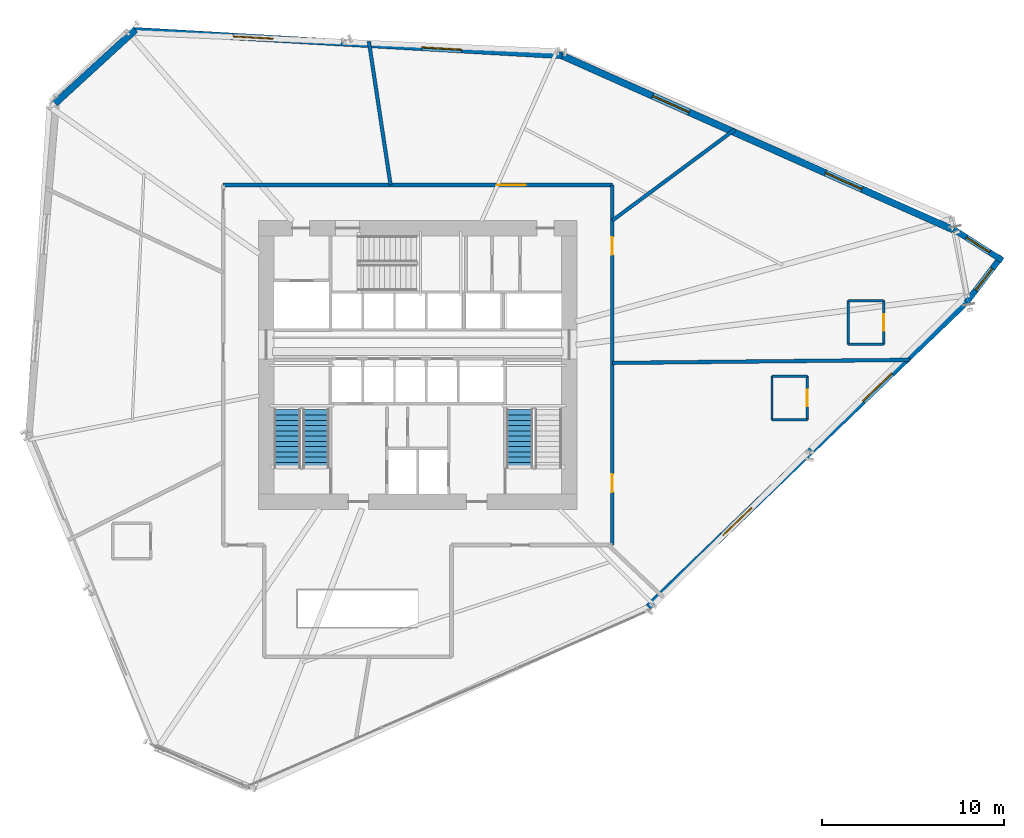
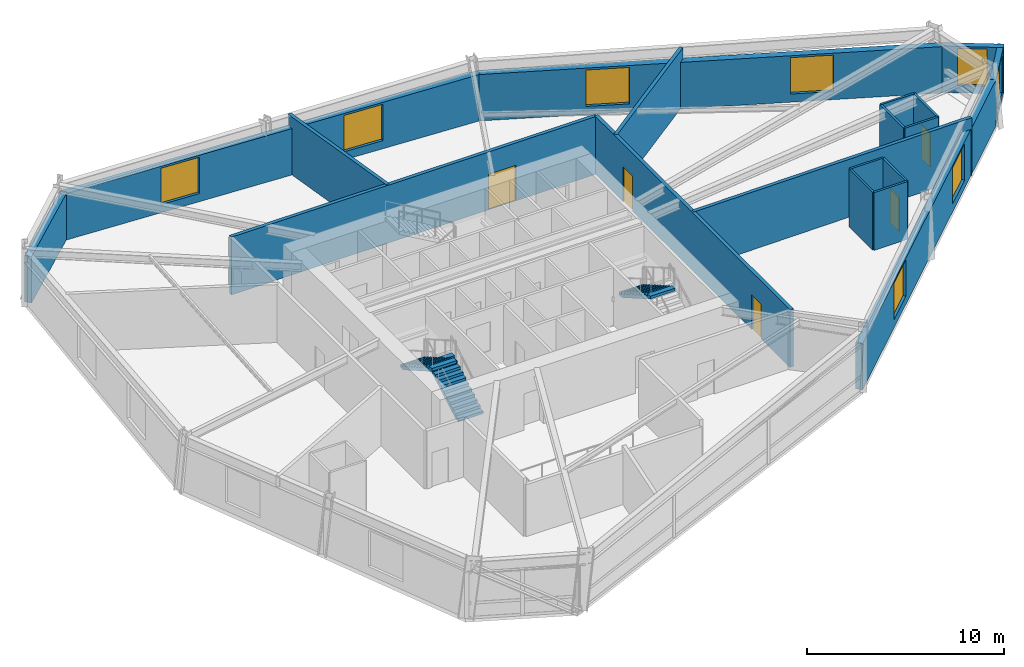
# One storey, part 15 of 17: 19 walls, 8 windows, 5 doors, 3 stair flights, 13 openings, 2 elements without a shape of their own.
"""IFC4 building model written with IfcOpenShell, lengths in metres."""

from ifc_helpers import new_model, si_unit, direction, frame, frame_2d, origin, place, context, subcontext, project, spatial, polyline, rectangle, outline, extrude, source, transform, mapped, material, layer, layer_set, type_object, type_shapes, element, fill, aggregate, save


model = new_model("IFC4")

# Units and contexts
model_context = context("Model", 3, precision=1e-05, world=origin(), true_north=direction((0.0, 1.0)))
body_context = subcontext(model_context, "Body", "Model", "MODEL_VIEW")
ifc_project = project(units=[si_unit("LENGTHUNIT", "METRE"), si_unit("AREAUNIT", "SQUARE_METRE"), si_unit("VOLUMEUNIT", "CUBIC_METRE"), si_unit("PLANEANGLEUNIT", "RADIAN"), si_unit("MASSUNIT", "GRAM", prefix="KILO")], contexts=[model_context])

# Site, building, storey
site_placement = place(None, origin())
site = spatial("IfcSite", under=ifc_project, at=site_placement, CompositionType="ELEMENT")
building_placement = place(site_placement, origin())
building = spatial("IfcBuilding", under=site, at=building_placement, Name="Olszyna Solenne Hotel", CompositionType="ELEMENT")
storey_placement = place(building_placement, frame((0.0, 0.0, 75.89990234375)))
storey = spatial("IfcBuildingStorey", under=building, at=storey_placement, Name="L19", CompositionType="ELEMENT", Elevation=75.89990234375)

# Wall, opening, window
ifc_material_1 = material(Name="Precast concrete C45/55", Category="concrete")
ifc_layer_1 = layer(ifc_material_1, 0.320068359375, Name="Precast concrete C45/55")
ifc_layer_set_1 = layer_set([ifc_layer_1], Name="Precast concrete C45/55")
wall_type_1 = type_object("IfcWallType", Name="WL-EX320", PredefinedType="SOLIDWALL", material=ifc_layer_set_1)
wall_1_placement = place(storey_placement, frame((67.454345703125, 34.066650390625, 0.0), z_axis=(0.0, 0.0, 1.0), x_axis=(0.842734794545, -0.53832895711, 0.0)))
wall_1 = element("IfcWall", 1, at=wall_1_placement, inside=storey, type_object=wall_type_1, Name="Exterior terracotta-precast frame wall WL-EX320 EW-L19-08", PredefinedType="SOLIDWALL", context=body_context, shape_type="SweptSolid", body=[
    extrude(rectangle(XDim=3.193603515625, YDim=0.320068359375, at=frame_2d((1.5966796875, 0.0))), origin(), (0.0, 0.0, 1.0), 2.8720703125),
])
opening_1_placement = place(wall_1_placement, frame((0.846923828125, 0.0, 0.451904296875)))
opening_1 = element("IfcOpeningElement", 2, at=opening_1_placement, cuts=wall_1, Name="Opening WN-L19-104", PredefinedType="OPENING", context=body_context, shape_type="SweptSolid", body=[
    extrude(rectangle(XDim=1.5, YDim=2.300048828125, at=frame_2d((0.75, 1.14990234375))), frame((0.0, 0.169921875, 0.0), z_axis=(0.0, -1.0, 0.0), x_axis=(1.0, 0.0, 0.0)), (0.0, 0.0, 1.0), 0.340087890625),
])
ifc_material_2 = material(Name="Low-E triple glazing", Category="glass")
window_type_1 = type_object("IfcWindowType", Name="WN-CH1", PartitioningType="SINGLE_PANEL", PredefinedType="WINDOW", material=ifc_material_2)
shared_shape_1 = source(origin(), body_context, "Body", "SweptSolid", [
    extrude(rectangle(XDim=1.5, YDim=2.300048828125, at=frame_2d((0.75, 1.14990234375))), frame((0.0, 0.030029296875, 0.0), z_axis=(0.0, -1.0, 0.0), x_axis=(1.0, 0.0, 0.0)), (0.0, 0.0, 1.0), 0.06005859375),
])
type_shapes(window_type_1, [shared_shape_1])
window_1_placement = place(opening_1_placement, origin())
window_1 = element("IfcWindow", 3, at=window_1_placement, inside=storey, type_object=window_type_1, Name="Exterior facade window WN-CH1 WN-L19-104", OverallHeight=2.300048828125, OverallWidth=1.5, PartitioningType="SINGLE_PANEL", PredefinedType="WINDOW", context=body_context, shape_type="MappedRepresentation", body=[
    mapped(shared_shape_1, transform((0.0, 0.0, 0.0), x_axis=(1.0, 0.0, 0.0), y_axis=(0.0, 1.0, 0.0), z_axis=(0.0, 0.0, 1.0), scale=1.0)),
])
fill(opening_1, window_1)

wall_2_placement = place(storey_placement, frame((70.1044921875, 32.579345703125, 0.0), z_axis=(0.0, 0.0, 1.0), x_axis=(-0.606317277032, -0.795222836425, 0.0)))
wall_2 = element("IfcWall", 4, at=wall_2_placement, inside=storey, type_object=wall_type_1, Name="Exterior terracotta-precast frame wall WL-EX320 EW-L19-09", PredefinedType="SOLIDWALL", context=body_context, shape_type="SweptSolid", body=[
    extrude(rectangle(XDim=3.193603515625, YDim=0.320068359375, at=frame_2d((1.5966796875, 0.0))), origin(), (0.0, 0.0, 1.0), 2.8720703125),
])
opening_2_placement = place(wall_2_placement, frame((0.846923828125, 0.0, 0.451904296875)))
opening_2 = element("IfcOpeningElement", 5, at=opening_2_placement, cuts=wall_2, Name="Opening WN-L19-105", PredefinedType="OPENING", context=body_context, shape_type="SweptSolid", body=[
    extrude(rectangle(XDim=1.5, YDim=2.300048828125, at=frame_2d((0.75, 1.14990234375))), frame((0.0, 0.169921875, 0.0), z_axis=(0.0, -1.0, 0.0), x_axis=(1.0, 0.0, 0.0)), (0.0, 0.0, 1.0), 0.340087890625),
])
window_2_placement = place(opening_2_placement, origin())
window_2 = element("IfcWindow", 6, at=window_2_placement, inside=storey, type_object=window_type_1, Name="Exterior facade window WN-CH1 WN-L19-105", OverallHeight=2.300048828125, OverallWidth=1.5, PartitioningType="SINGLE_PANEL", PredefinedType="WINDOW", context=body_context, shape_type="MappedRepresentation", body=[
    mapped(shared_shape_1, transform((0.0, 0.0, 0.0), x_axis=(1.0, 0.0, 0.0), y_axis=(0.0, 1.0, 0.0), z_axis=(0.0, 0.0, 1.0), scale=1.0)),
])
fill(opening_2, window_2)

# Wall
ifc_material_3 = material(Name="Terracotta cladding on precast concrete C45/55", Category="masonry")
ifc_layer_2 = layer(ifc_material_3, 0.3798828125, Name="Terracotta cladding on precast concrete C45/55")
ifc_layer_set_2 = layer_set([ifc_layer_2], Name="Terracotta cladding on precast concrete C45/55")
wall_type_2 = type_object("IfcWallType", Name="WL-EX380", PredefinedType="SOLIDWALL", material=ifc_layer_set_2)
wall_3_placement = place(storey_placement, frame((18.052001953125, 40.984619140625, 0.0), z_axis=(0.0, 0.0, 1.0), x_axis=(0.73726571063, 0.675602895146, 0.0)))
element("IfcWall", 7, at=wall_3_placement, inside=storey, type_object=wall_type_2, Name="Exterior terracotta-precast frame wall WL-EX380 EW-L19-05", PredefinedType="SOLIDWALL", context=body_context, shape_type="SweptSolid", body=[
    extrude(rectangle(XDim=5.994384765625, YDim=0.3798828125, at=frame_2d((2.9970703125, 0.0))), origin(), (0.0, 0.0, 1.0), 2.8720703125),
])

# Wall, openings, windows
wall_4_placement = place(storey_placement, frame((22.33203125, 44.98486328125, 0.0), z_axis=(0.0, 0.0, 1.0), x_axis=(0.998339907415, -0.057597128944, 0.0)))
wall_4 = element("IfcWall", 8, at=wall_4_placement, inside=storey, type_object=wall_type_2, Name="Exterior terracotta-precast frame wall WL-EX380 EW-L19-06", PredefinedType="SOLIDWALL", context=body_context, shape_type="SweptSolid", body=[
    extrude(rectangle(XDim=23.6396484375, YDim=0.3798828125, at=frame_2d((11.81982421875, 0.0))), origin(), (0.0, 0.0, 1.0), 2.8720703125),
])
opening_3_placement = place(wall_4_placement, frame((5.51904296875, 0.0, 0.501953125)))
opening_3 = element("IfcOpeningElement", 9, at=opening_3_placement, cuts=wall_4, Name="Opening WN-L19-100", PredefinedType="OPENING", context=body_context, shape_type="SweptSolid", body=[
    extrude(rectangle(XDim=2.199951171875, YDim=2.25, at=frame_2d((1.10009765625, 1.125))), frame((0.0, 0.199951171875, 0.0), z_axis=(0.0, -1.0, 0.0), x_axis=(1.0, 0.0, 0.0)), (0.0, 0.0, 1.0), 0.39990234375),
])
opening_4_placement = place(wall_4_placement, frame((15.919921875, 0.0, 0.501953125)))
opening_4 = element("IfcOpeningElement", 10, at=opening_4_placement, cuts=wall_4, Name="Opening WN-L19-101", PredefinedType="OPENING", context=body_context, shape_type="SweptSolid", body=[
    extrude(rectangle(XDim=2.199951171875, YDim=2.25, at=frame_2d((1.10009765625, 1.125))), frame((0.0, 0.199951171875, 0.0), z_axis=(0.0, -1.0, 0.0), x_axis=(1.0, 0.0, 0.0)), (0.0, 0.0, 1.0), 0.39990234375),
])
window_type_2 = type_object("IfcWindowType", Name="WN-HT2", PartitioningType="SINGLE_PANEL", PredefinedType="WINDOW", material=ifc_material_2)
shared_shape_2 = source(origin(), body_context, "Body", "SweptSolid", [
    extrude(rectangle(XDim=2.199951171875, YDim=2.25, at=frame_2d((1.10009765625, 1.125))), frame((0.0, 0.030029296875, 0.0), z_axis=(0.0, -1.0, 0.0), x_axis=(1.0, 0.0, 0.0)), (0.0, 0.0, 1.0), 0.06005859375),
])
type_shapes(window_type_2, [shared_shape_2])
window_3_placement = place(opening_3_placement, origin())
window_3 = element("IfcWindow", 11, at=window_3_placement, inside=storey, type_object=window_type_2, Name="Exterior facade window WN-HT2 WN-L19-100", OverallHeight=2.25, OverallWidth=2.199951171875, PartitioningType="SINGLE_PANEL", PredefinedType="WINDOW", context=body_context, shape_type="MappedRepresentation", body=[
    mapped(shared_shape_2, transform((0.0, 0.0, 0.0), x_axis=(1.0, 0.0, 0.0), y_axis=(0.0, 1.0, 0.0), z_axis=(0.0, 0.0, 1.0), scale=1.0)),
])
fill(opening_3, window_3)
window_4_placement = place(opening_4_placement, origin())
window_4 = element("IfcWindow", 12, at=window_4_placement, inside=storey, type_object=window_type_2, Name="Exterior facade window WN-HT2 WN-L19-101", OverallHeight=2.25, OverallWidth=2.199951171875, PartitioningType="SINGLE_PANEL", PredefinedType="WINDOW", context=body_context, shape_type="MappedRepresentation", body=[
    mapped(shared_shape_2, transform((0.0, 0.0, 0.0), x_axis=(1.0, 0.0, 0.0), y_axis=(0.0, 1.0, 0.0), z_axis=(0.0, 0.0, 1.0), scale=1.0)),
])
fill(opening_4, window_4)

wall_5_placement = place(storey_placement, frame((45.865966796875, 43.639404296875, 0.0), z_axis=(0.0, 0.0, 1.0), x_axis=(0.91360999261, -0.406591664207, 0.0)))
wall_5 = element("IfcWall", 13, at=wall_5_placement, inside=storey, type_object=wall_type_2, Name="Exterior terracotta-precast frame wall WL-EX380 EW-L19-07", PredefinedType="SOLIDWALL", context=body_context, shape_type="SweptSolid", body=[
    extrude(rectangle(XDim=23.639404296875, YDim=0.3798828125, at=frame_2d((11.81982421875, 0.0))), origin(), (0.0, 0.0, 1.0), 2.8720703125),
])
opening_5_placement = place(wall_5_placement, frame((5.51904296875, 0.0, 0.501953125)))
opening_5 = element("IfcOpeningElement", 14, at=opening_5_placement, cuts=wall_5, Name="Opening WN-L19-102", PredefinedType="OPENING", context=body_context, shape_type="SweptSolid", body=[
    extrude(rectangle(XDim=2.199951171875, YDim=2.25, at=frame_2d((1.10009765625, 1.125))), frame((0.0, 0.199951171875, 0.0), z_axis=(0.0, -1.0, 0.0), x_axis=(1.0, 0.0, 0.0)), (0.0, 0.0, 1.0), 0.39990234375),
])
opening_6_placement = place(wall_5_placement, frame((15.919921875, 0.0, 0.501953125)))
opening_6 = element("IfcOpeningElement", 15, at=opening_6_placement, cuts=wall_5, Name="Opening WN-L19-103", PredefinedType="OPENING", context=body_context, shape_type="SweptSolid", body=[
    extrude(rectangle(XDim=2.199951171875, YDim=2.25, at=frame_2d((1.10009765625, 1.125))), frame((0.0, 0.199951171875, 0.0), z_axis=(0.0, -1.0, 0.0), x_axis=(1.0, 0.0, 0.0)), (0.0, 0.0, 1.0), 0.39990234375),
])
window_5_placement = place(opening_5_placement, origin())
window_5 = element("IfcWindow", 16, at=window_5_placement, inside=storey, type_object=window_type_2, Name="Exterior facade window WN-HT2 WN-L19-102", OverallHeight=2.25, OverallWidth=2.199951171875, PartitioningType="SINGLE_PANEL", PredefinedType="WINDOW", context=body_context, shape_type="MappedRepresentation", body=[
    mapped(shared_shape_2, transform((0.0, 0.0, 0.0), x_axis=(1.0, 0.0, 0.0), y_axis=(0.0, 1.0, 0.0), z_axis=(0.0, 0.0, 1.0), scale=1.0)),
])
fill(opening_5, window_5)
window_6_placement = place(opening_6_placement, origin())
window_6 = element("IfcWindow", 17, at=window_6_placement, inside=storey, type_object=window_type_2, Name="Exterior facade window WN-HT2 WN-L19-103", OverallHeight=2.25, OverallWidth=2.199951171875, PartitioningType="SINGLE_PANEL", PredefinedType="WINDOW", context=body_context, shape_type="MappedRepresentation", body=[
    mapped(shared_shape_2, transform((0.0, 0.0, 0.0), x_axis=(1.0, 0.0, 0.0), y_axis=(0.0, 1.0, 0.0), z_axis=(0.0, 0.0, 1.0), scale=1.0)),
])
fill(opening_6, window_6)

wall_6_placement = place(storey_placement, frame((68.163818359375, 30.079833984375, 0.0), z_axis=(0.0, 0.0, 1.0), x_axis=(-0.721395971685, -0.692522816979, 0.0)))
wall_6 = element("IfcWall", 18, at=wall_6_placement, inside=storey, type_object=wall_type_2, Name="Exterior terracotta-precast frame wall WL-EX380 EW-L19-10", PredefinedType="SOLIDWALL", context=body_context, shape_type="SweptSolid", body=[
    extrude(rectangle(XDim=24.250732421875, YDim=0.3798828125, at=frame_2d((12.12548828125, 0.0))), origin(), (0.0, 0.0, 1.0), 2.8720703125),
])
opening_7_placement = place(wall_6_placement, frame((5.68994140625, 0.0, 0.501953125)))
opening_7 = element("IfcOpeningElement", 19, at=opening_7_placement, cuts=wall_6, Name="Opening WN-L19-106", PredefinedType="OPENING", context=body_context, shape_type="SweptSolid", body=[
    extrude(rectangle(XDim=2.199951171875, YDim=2.25, at=frame_2d((1.10009765625, 1.125))), frame((0.0, 0.199951171875, 0.0), z_axis=(0.0, -1.0, 0.0), x_axis=(1.0, 0.0, 0.0)), (0.0, 0.0, 1.0), 0.39990234375),
])
opening_8_placement = place(wall_6_placement, frame((16.360107421875, 0.0, 0.501953125)))
opening_8 = element("IfcOpeningElement", 20, at=opening_8_placement, cuts=wall_6, Name="Opening WN-L19-107", PredefinedType="OPENING", context=body_context, shape_type="SweptSolid", body=[
    extrude(rectangle(XDim=2.199951171875, YDim=2.25, at=frame_2d((1.10009765625, 1.125))), frame((0.0, 0.199951171875, 0.0), z_axis=(0.0, -1.0, 0.0), x_axis=(1.0, 0.0, 0.0)), (0.0, 0.0, 1.0), 0.39990234375),
])
window_7_placement = place(opening_7_placement, origin())
window_7 = element("IfcWindow", 21, at=window_7_placement, inside=storey, type_object=window_type_2, Name="Exterior facade window WN-HT2 WN-L19-106", OverallHeight=2.25, OverallWidth=2.199951171875, PartitioningType="SINGLE_PANEL", PredefinedType="WINDOW", context=body_context, shape_type="MappedRepresentation", body=[
    mapped(shared_shape_2, transform((0.0, 0.0, 0.0), x_axis=(1.0, 0.0, 0.0), y_axis=(0.0, 1.0, 0.0), z_axis=(0.0, 0.0, 1.0), scale=1.0)),
])
fill(opening_7, window_7)
window_8_placement = place(opening_8_placement, origin())
window_8 = element("IfcWindow", 22, at=window_8_placement, inside=storey, type_object=window_type_2, Name="Exterior facade window WN-HT2 WN-L19-107", OverallHeight=2.25, OverallWidth=2.199951171875, PartitioningType="SINGLE_PANEL", PredefinedType="WINDOW", context=body_context, shape_type="MappedRepresentation", body=[
    mapped(shared_shape_2, transform((0.0, 0.0, 0.0), x_axis=(1.0, 0.0, 0.0), y_axis=(0.0, 1.0, 0.0), z_axis=(0.0, 0.0, 1.0), scale=1.0)),
])
fill(opening_8, window_8)

# Wall, opening, door
ifc_material_4 = material(Name="Acoustic gypsum partition", Category="gypsum")
ifc_layer_3 = layer(ifc_material_4, 0.125, Name="Acoustic gypsum partition")
ifc_layer_set_3 = layer_set([ifc_layer_3], Name="Acoustic gypsum partition")
wall_type_3 = type_object("IfcWallType", Name="WL-PT125", PredefinedType="PARTITIONING", material=ifc_layer_set_3)
wall_7_placement = place(storey_placement, frame((59.4189453125, 23.589111328125, 0.0), z_axis=(0.0, 0.0, 1.0), x_axis=(0.0, 1.0, 0.0)))
wall_7 = element("IfcWall", 23, at=wall_7_placement, inside=storey, type_object=wall_type_3, Name="Interior acoustic partition WL-PT125 PW-L19-1091", PredefinedType="PARTITIONING", context=body_context, shape_type="SweptSolid", body=[
    extrude(rectangle(XDim=2.39990234375, YDim=0.125, at=frame_2d((1.199951171875, 0.0))), origin(), (0.0, 0.0, 1.0), 3.580078125),
])
opening_9_placement = place(wall_7_placement, frame((0.75, 0.0, 0.0)))
opening_9 = element("IfcOpeningElement", 24, at=opening_9_placement, cuts=wall_7, Name="Opening DR-L19-0248", PredefinedType="OPENING", context=body_context, shape_type="SweptSolid", body=[
    extrude(rectangle(XDim=0.89990234375, YDim=2.10009765625, at=frame_2d((0.449951171875, 1.050048828125))), frame((0.0, 0.072509765625, 0.0), z_axis=(0.0, -1.0, 0.0), x_axis=(1.0, 0.0, 0.0)), (0.0, 0.0, 1.0), 0.14501953125),
])
ifc_material_5 = material(Name="Timber hardwood", Category="wood")
door_type_1 = type_object("IfcDoorType", Name="DR-WC1", OperationType="NOTDEFINED", PredefinedType="DOOR", material=ifc_material_5)
shared_shape_3 = source(origin(), body_context, "Body", "SweptSolid", [
    extrude(rectangle(XDim=0.89990234375, YDim=2.10009765625, at=frame_2d((0.449951171875, 1.050048828125))), frame((0.0, 0.02490234375, 0.0), z_axis=(0.0, -1.0, 0.0), x_axis=(1.0, 0.0, 0.0)), (0.0, 0.0, 1.0), 0.050048828125),
])
type_shapes(door_type_1, [shared_shape_3])
door_1_placement = place(opening_9_placement, origin())
door_1 = element("IfcDoor", 25, at=door_1_placement, inside=storey, type_object=door_type_1, Name="En-Suite Bathroom Door DR-L19-0248", OperationType="SINGLE_SWING_RIGHT", OverallHeight=2.10009765625, OverallWidth=0.89990234375, PredefinedType="DOOR", context=body_context, shape_type="MappedRepresentation", body=[
    mapped(shared_shape_3, transform((0.0, 0.0, 0.0), x_axis=(1.0, 0.0, 0.0), y_axis=(0.0, 1.0, 0.0), z_axis=(0.0, 0.0, 1.0), scale=1.0)),
])
fill(opening_9, door_1)

# Walls
wall_8_placement = place(storey_placement, frame((59.4189453125, 25.989013671875, 0.0), z_axis=(0.0, 0.0, 1.0), x_axis=(-1.0, 0.0, 0.0)))
element("IfcWall", 26, at=wall_8_placement, inside=storey, type_object=wall_type_3, Name="Interior acoustic partition WL-PT125 PW-L19-1092", PredefinedType="PARTITIONING", context=body_context, shape_type="SweptSolid", body=[
    extrude(rectangle(XDim=1.949951171875, YDim=0.125, at=frame_2d((0.97509765625, 0.0))), origin(), (0.0, 0.0, 1.0), 3.580078125),
])
wall_9_placement = place(storey_placement, frame((57.468994140625, 25.989013671875, 0.0), z_axis=(0.0, 0.0, 1.0), x_axis=(0.0, -1.0, 0.0)))
element("IfcWall", 27, at=wall_9_placement, inside=storey, type_object=wall_type_3, Name="Interior acoustic partition WL-PT125 PW-L19-1093", PredefinedType="PARTITIONING", context=body_context, shape_type="SweptSolid", body=[
    extrude(rectangle(XDim=2.39990234375, YDim=0.125, at=frame_2d((1.199951171875, 0.0))), origin(), (0.0, 0.0, 1.0), 3.580078125),
])
wall_10_placement = place(storey_placement, frame((57.468994140625, 23.589111328125, 0.0), z_axis=(0.0, 0.0, 1.0), x_axis=(1.0, 0.0, 0.0)))
element("IfcWall", 28, at=wall_10_placement, inside=storey, type_object=wall_type_3, Name="Interior acoustic partition WL-PT125 PW-L19-1094", PredefinedType="PARTITIONING", context=body_context, shape_type="SweptSolid", body=[
    extrude(rectangle(XDim=1.949951171875, YDim=0.125, at=frame_2d((0.97509765625, 0.0))), origin(), (0.0, 0.0, 1.0), 3.580078125),
])

# Wall, opening, door
wall_11_placement = place(storey_placement, frame((63.618896484375, 27.735107421875, 0.0), z_axis=(0.0, 0.0, 1.0), x_axis=(0.0, 1.0, 0.0)))
wall_11 = element("IfcWall", 29, at=wall_11_placement, inside=storey, type_object=wall_type_3, Name="Interior acoustic partition WL-PT125 PW-L19-1095", PredefinedType="PARTITIONING", context=body_context, shape_type="SweptSolid", body=[
    extrude(rectangle(XDim=2.39990234375, YDim=0.125, at=frame_2d((1.199951171875, 0.0))), origin(), (0.0, 0.0, 1.0), 3.580078125),
])
opening_10_placement = place(wall_11_placement, frame((0.75, 0.0, 0.0)))
opening_10 = element("IfcOpeningElement", 30, at=opening_10_placement, cuts=wall_11, Name="Opening DR-L19-0249", PredefinedType="OPENING", context=body_context, shape_type="SweptSolid", body=[
    extrude(rectangle(XDim=0.89990234375, YDim=2.10009765625, at=frame_2d((0.449951171875, 1.050048828125))), frame((0.0, 0.072509765625, 0.0), z_axis=(0.0, -1.0, 0.0), x_axis=(1.0, 0.0, 0.0)), (0.0, 0.0, 1.0), 0.14501953125),
])
door_2_placement = place(opening_10_placement, origin())
door_2 = element("IfcDoor", 31, at=door_2_placement, inside=storey, type_object=door_type_1, Name="En-Suite Bathroom Door DR-L19-0249", OperationType="SINGLE_SWING_RIGHT", OverallHeight=2.10009765625, OverallWidth=0.89990234375, PredefinedType="DOOR", context=body_context, shape_type="MappedRepresentation", body=[
    mapped(shared_shape_3, transform((0.0, 0.0, 0.0), x_axis=(1.0, 0.0, 0.0), y_axis=(0.0, 1.0, 0.0), z_axis=(0.0, 0.0, 1.0), scale=1.0)),
])
fill(opening_10, door_2)

# Walls
wall_12_placement = place(storey_placement, frame((63.618896484375, 30.135009765625, 0.0), z_axis=(0.0, 0.0, 1.0), x_axis=(-1.0, 0.0, 0.0)))
element("IfcWall", 32, at=wall_12_placement, inside=storey, type_object=wall_type_3, Name="Interior acoustic partition WL-PT125 PW-L19-1096", PredefinedType="PARTITIONING", context=body_context, shape_type="SweptSolid", body=[
    extrude(rectangle(XDim=1.949951171875, YDim=0.125, at=frame_2d((0.97509765625, 0.0))), origin(), (0.0, 0.0, 1.0), 3.580078125),
])
wall_13_placement = place(storey_placement, frame((61.6689453125, 30.135009765625, 0.0), z_axis=(0.0, 0.0, 1.0), x_axis=(0.0, -1.0, 0.0)))
element("IfcWall", 33, at=wall_13_placement, inside=storey, type_object=wall_type_3, Name="Interior acoustic partition WL-PT125 PW-L19-1097", PredefinedType="PARTITIONING", context=body_context, shape_type="SweptSolid", body=[
    extrude(rectangle(XDim=2.39990234375, YDim=0.125, at=frame_2d((1.199951171875, 0.0))), origin(), (0.0, 0.0, 1.0), 3.580078125),
])
wall_14_placement = place(storey_placement, frame((61.6689453125, 27.735107421875, 0.0), z_axis=(0.0, 0.0, 1.0), x_axis=(1.0, 0.0, 0.0)))
element("IfcWall", 34, at=wall_14_placement, inside=storey, type_object=wall_type_3, Name="Interior acoustic partition WL-PT125 PW-L19-1098", PredefinedType="PARTITIONING", context=body_context, shape_type="SweptSolid", body=[
    extrude(rectangle(XDim=1.949951171875, YDim=0.125, at=frame_2d((0.97509765625, 0.0))), origin(), (0.0, 0.0, 1.0), 3.580078125),
])
ifc_layer_4 = layer(ifc_material_4, 0.199951171875, Name="Acoustic gypsum partition")
ifc_layer_set_4 = layer_set([ifc_layer_4], Name="Acoustic gypsum partition")
wall_type_4 = type_object("IfcWallType", Name="WL-PT200", PredefinedType="PARTITIONING", material=ifc_layer_set_4)
wall_15_placement = place(storey_placement, frame((48.699951171875, 34.54638671875, 0.0), z_axis=(0.0, 0.0, 1.0), x_axis=(0.8028205869, 0.596220685023, 0.0)))
element("IfcWall", 35, at=wall_15_placement, inside=storey, type_object=wall_type_4, Name="Interior acoustic partition WL-PT200 PW-L19-1080", PredefinedType="PARTITIONING", context=body_context, shape_type="SweptSolid", body=[
    extrude(rectangle(XDim=8.397216796875, YDim=0.199951171875, at=frame_2d((4.19873046875, 0.0))), origin(), (0.0, 0.0, 1.0), 3.580078125),
])
wall_16_placement = place(storey_placement, frame((36.502685546875, 36.5, 0.0), z_axis=(0.0, 0.0, 1.0), x_axis=(-0.14951830516, 0.988758957695, 0.0)))
element("IfcWall", 36, at=wall_16_placement, inside=storey, type_object=wall_type_4, Name="Interior acoustic partition WL-PT200 PW-L19-1081", PredefinedType="PARTITIONING", context=body_context, shape_type="SweptSolid", body=[
    extrude(rectangle(XDim=7.986328125, YDim=0.199951171875, at=frame_2d((3.9931640625, 0.0))), origin(), (0.0, 0.0, 1.0), 3.580078125),
])
wall_17_placement = place(storey_placement, frame((48.699951171875, 26.712158203125, 0.0), z_axis=(0.0, 0.0, 1.0), x_axis=(0.999945322825, 0.010457120052, 0.0)))
element("IfcWall", 37, at=wall_17_placement, inside=storey, type_object=wall_type_4, Name="Interior acoustic partition WL-PT200 PW-L19-1086", PredefinedType="PARTITIONING", context=body_context, shape_type="SweptSolid", body=[
    extrude(rectangle(XDim=16.3662109375, YDim=0.199951171875, at=frame_2d((8.18310546875, 0.0))), origin(), (0.0, 0.0, 1.0), 3.580078125),
])

# Wall, opening, door
wall_18_placement = place(storey_placement, frame((27.300048828125, 36.5, 0.0), z_axis=(0.0, 0.0, 1.0), x_axis=(1.0, 0.0, 0.0)))
wall_18 = element("IfcWall", 38, at=wall_18_placement, inside=storey, type_object=wall_type_4, Name="Interior acoustic partition WL-PT200 PW-L19-1102", PredefinedType="PARTITIONING", context=body_context, shape_type="SweptSolid", body=[
    extrude(rectangle(XDim=21.39990234375, YDim=0.199951171875, at=frame_2d((10.699951171875, 0.0))), origin(), (0.0, 0.0, 1.0), 3.580078125),
])
opening_11_placement = place(wall_18_placement, frame((15.034912109375, 0.0, 0.0)))
opening_11 = element("IfcOpeningElement", 39, at=opening_11_placement, cuts=wall_18, Name="Opening DR-L19-0254", PredefinedType="OPENING", context=body_context, shape_type="SweptSolid", body=[
    extrude(rectangle(XDim=1.60009765625, YDim=2.199951171875, at=frame_2d((0.800048828125, 1.10009765625))), frame((0.0, 0.10986328125, 0.0), z_axis=(0.0, -1.0, 0.0), x_axis=(1.0, 0.0, 0.0)), (0.0, 0.0, 1.0), 0.219970703125),
])
door_type_2 = type_object("IfcDoorType", Name="DR-CR1", OperationType="DOUBLE_DOOR_SINGLE_SWING", PredefinedType="DOOR", material=ifc_material_5)
shared_shape_4 = source(origin(), body_context, "Body", "SweptSolid", [
    extrude(rectangle(XDim=1.60009765625, YDim=2.199951171875, at=frame_2d((0.800048828125, 1.10009765625))), frame((0.0, 0.02490234375, 0.0), z_axis=(0.0, -1.0, 0.0), x_axis=(1.0, 0.0, 0.0)), (0.0, 0.0, 1.0), 0.050048828125),
])
type_shapes(door_type_2, [shared_shape_4])
door_3_placement = place(opening_11_placement, origin())
door_3 = element("IfcDoor", 40, at=door_3_placement, inside=storey, type_object=door_type_2, Name="Winter Sky Garden Conservatory Entrance Door DR-L19-0254", OperationType="DOUBLE_DOOR_SINGLE_SWING", OverallHeight=2.199951171875, OverallWidth=1.60009765625, PredefinedType="DOOR", context=body_context, shape_type="MappedRepresentation", body=[
    mapped(shared_shape_4, transform((0.0, 0.0, 0.0), x_axis=(1.0, 0.0, 0.0), y_axis=(0.0, 1.0, 0.0), z_axis=(0.0, 0.0, 1.0), scale=1.0)),
])
fill(opening_11, door_3)

# Wall, openings, doors
wall_19_placement = place(storey_placement, frame((48.699951171875, 16.699951171875, 0.0), z_axis=(0.0, 0.0, 1.0), x_axis=(0.0, 1.0, 0.0)))
wall_19 = element("IfcWall", 41, at=wall_19_placement, inside=storey, type_object=wall_type_4, Name="Interior acoustic partition WL-PT200 PW-L19-1103", PredefinedType="PARTITIONING", context=body_context, shape_type="SweptSolid", body=[
    extrude(rectangle(XDim=19.800048828125, YDim=0.199951171875, at=frame_2d((9.89990234375, 0.0))), origin(), (0.0, 0.0, 1.0), 3.580078125),
])
opening_12_placement = place(wall_19_placement, frame((2.9150390625, 0.0, 0.0)))
opening_12 = element("IfcOpeningElement", 42, at=opening_12_placement, cuts=wall_19, Name="Opening DR-L19-0255", PredefinedType="OPENING", context=body_context, shape_type="SweptSolid", body=[
    extrude(rectangle(XDim=0.97998046875, YDim=2.14990234375, at=frame_2d((0.489990234375, 1.074951171875))), frame((0.0, 0.10986328125, 0.0), z_axis=(0.0, -1.0, 0.0), x_axis=(1.0, 0.0, 0.0)), (0.0, 0.0, 1.0), 0.219970703125),
])
opening_13_placement = place(wall_19_placement, frame((15.9580078125, 0.0, 0.0)))
opening_13 = element("IfcOpeningElement", 43, at=opening_13_placement, cuts=wall_19, Name="Opening DR-L19-0256", PredefinedType="OPENING", context=body_context, shape_type="SweptSolid", body=[
    extrude(rectangle(XDim=0.97998046875, YDim=2.14990234375, at=frame_2d((0.489990234375, 1.074951171875))), frame((0.0, 0.10986328125, 0.0), z_axis=(0.0, -1.0, 0.0), x_axis=(1.0, 0.0, 0.0)), (0.0, 0.0, 1.0), 0.219970703125),
])
door_type_3 = type_object("IfcDoorType", Name="DR-RM1", OperationType="NOTDEFINED", PredefinedType="DOOR", material=ifc_material_5)
shared_shape_5 = source(origin(), body_context, "Body", "SweptSolid", [
    extrude(rectangle(XDim=0.97998046875, YDim=2.14990234375, at=frame_2d((0.489990234375, 1.074951171875))), frame((0.0, 0.02490234375, 0.0), z_axis=(0.0, -1.0, 0.0), x_axis=(1.0, 0.0, 0.0)), (0.0, 0.0, 1.0), 0.050048828125),
])
type_shapes(door_type_3, [shared_shape_5])
door_4_placement = place(opening_12_placement, origin())
door_4 = element("IfcDoor", 44, at=door_4_placement, inside=storey, type_object=door_type_3, Name="Botanical Atrium Suite Entrance Door DR-L19-0255", OperationType="SINGLE_SWING_LEFT", OverallHeight=2.14990234375, OverallWidth=0.97998046875, PredefinedType="DOOR", context=body_context, shape_type="MappedRepresentation", body=[
    mapped(shared_shape_5, transform((0.0, 0.0, 0.0), x_axis=(1.0, 0.0, 0.0), y_axis=(0.0, 1.0, 0.0), z_axis=(0.0, 0.0, 1.0), scale=1.0)),
])
fill(opening_12, door_4)
door_5_placement = place(opening_13_placement, origin())
door_5 = element("IfcDoor", 45, at=door_5_placement, inside=storey, type_object=door_type_3, Name="Executive Reading Salon Entrance Door DR-L19-0256", OperationType="SINGLE_SWING_RIGHT", OverallHeight=2.14990234375, OverallWidth=0.97998046875, PredefinedType="DOOR", context=body_context, shape_type="MappedRepresentation", body=[
    mapped(shared_shape_5, transform((0.0, 0.0, 0.0), x_axis=(1.0, 0.0, 0.0), y_axis=(0.0, 1.0, 0.0), z_axis=(0.0, 0.0, 1.0), scale=1.0)),
])
fill(opening_13, door_5)

# Stair, stair flights
ifc_material_6 = material(Name="Concrete C40/50", Category="concrete")
stair_type = type_object("IfcStairType", Name="STR-C1", PredefinedType="TWO_QUARTER_WINDING_STAIR", material=ifc_material_6)
stair_1_placement = place(storey_placement, origin())
stair_1 = element("IfcStair", 46, at=stair_1_placement, inside=storey, type_object=stair_type, Name="L19 ST1", PredefinedType="TWO_QUARTER_WINDING_STAIR")
stair_flight_type = type_object("IfcStairFlightType", Name="FLT-C1", PredefinedType="STRAIGHT", material=ifc_material_6)
stair_flight_1_placement = place(storey_placement, frame((32.39501953125, 20.949951171875, 0.0), z_axis=(0.0, 0.0, 1.0), x_axis=(0.0, 1.0, 0.0)))
stair_flight_1 = element("IfcStairFlight", 47, at=stair_flight_1_placement, type_object=stair_flight_type, Name="ST1 flight 1", NumberOfRisers=12, NumberOfTreads=11, PredefinedType="STRAIGHT", RiserHeight=0.166666667, TreadLength=0.29, context=body_context, shape_type="SweptSolid", body=[
    extrude(outline(polyline([(0.0, 0.0), (0.0, 0.166748046875), (0.2900390625, 0.166748046875), (0.2900390625, 0.333251953125), (0.580078125, 0.333251953125), (0.580078125, 0.5), (0.8701171875, 0.5), (0.8701171875, 0.666748046875), (1.159912109375, 0.666748046875), (1.159912109375, 0.833251953125), (1.449951171875, 0.833251953125), (1.449951171875, 1.0), (1.739990234375, 1.0), (1.739990234375, 1.166748046875), (2.030029296875, 1.166748046875), (2.030029296875, 1.333251953125), (2.320068359375, 1.333251953125), (2.320068359375, 1.5), (2.610107421875, 1.5), (2.610107421875, 1.666748046875), (2.89990234375, 1.666748046875), (2.89990234375, 1.833251953125), (3.18994140625, 1.833251953125), (3.18994140625, 2.0), (3.18994140625, 1.660400390625), (0.30078125, 0.0), (0.0, 0.0)])), frame((0.0, 0.72509765625, 0.0), z_axis=(0.0, -1.0, 0.0), x_axis=(1.0, 0.0, 0.0)), (0.0, 0.0, 1.0), 1.449951171875),
])
stair_flight_2_placement = place(storey_placement, frame((30.824951171875, 24.139892578125, 2.0), z_axis=(0.0, 0.0, 1.0), x_axis=(0.0, -1.0, 0.0)))
stair_flight_2 = element("IfcStairFlight", 48, at=stair_flight_2_placement, type_object=stair_flight_type, Name="ST1 flight 2", NumberOfRisers=12, NumberOfTreads=11, PredefinedType="STRAIGHT", RiserHeight=0.166666667, TreadLength=0.29, context=body_context, shape_type="SweptSolid", body=[
    extrude(outline(polyline([(0.0, 0.0), (0.0, 0.166748046875), (0.2900390625, 0.166748046875), (0.2900390625, 0.333251953125), (0.580078125, 0.333251953125), (0.580078125, 0.5), (0.8701171875, 0.5), (0.8701171875, 0.666748046875), (1.159912109375, 0.666748046875), (1.159912109375, 0.833251953125), (1.449951171875, 0.833251953125), (1.449951171875, 1.0), (1.739990234375, 1.0), (1.739990234375, 1.166748046875), (2.030029296875, 1.166748046875), (2.030029296875, 1.333251953125), (2.320068359375, 1.333251953125), (2.320068359375, 1.5), (2.610107421875, 1.5), (2.610107421875, 1.666748046875), (2.89990234375, 1.666748046875), (2.89990234375, 1.833251953125), (3.18994140625, 1.833251953125), (3.18994140625, 2.0), (3.18994140625, 1.660400390625), (0.30078125, 0.0), (0.0, 0.0)])), frame((0.0, 0.72509765625, 0.0), z_axis=(0.0, -1.0, 0.0), x_axis=(1.0, 0.0, 0.0)), (0.0, 0.0, 1.0), 1.449951171875),
])
aggregate(stair_1, [stair_flight_1, stair_flight_2])

# Stair, stair flight
stair_2_placement = place(storey_placement, origin())
stair_2 = element("IfcStair", 49, at=stair_2_placement, inside=storey, type_object=stair_type, Name="L19 ST2", PredefinedType="TWO_QUARTER_WINDING_STAIR")
stair_flight_3_placement = place(storey_placement, frame((43.60498046875, 24.139892578125, 2.0), z_axis=(0.0, 0.0, 1.0), x_axis=(0.0, -1.0, 0.0)))
stair_flight_3 = element("IfcStairFlight", 50, at=stair_flight_3_placement, type_object=stair_flight_type, Name="ST2 flight 2", NumberOfRisers=12, NumberOfTreads=11, PredefinedType="STRAIGHT", RiserHeight=0.166666667, TreadLength=0.29, context=body_context, shape_type="SweptSolid", body=[
    extrude(outline(polyline([(0.0, 0.0), (0.0, 0.166748046875), (0.2900390625, 0.166748046875), (0.2900390625, 0.333251953125), (0.580078125, 0.333251953125), (0.580078125, 0.5), (0.8701171875, 0.5), (0.8701171875, 0.666748046875), (1.159912109375, 0.666748046875), (1.159912109375, 0.833251953125), (1.449951171875, 0.833251953125), (1.449951171875, 1.0), (1.739990234375, 1.0), (1.739990234375, 1.166748046875), (2.030029296875, 1.166748046875), (2.030029296875, 1.333251953125), (2.320068359375, 1.333251953125), (2.320068359375, 1.5), (2.610107421875, 1.5), (2.610107421875, 1.666748046875), (2.89990234375, 1.666748046875), (2.89990234375, 1.833251953125), (3.18994140625, 1.833251953125), (3.18994140625, 2.0), (3.18994140625, 1.660400390625), (0.30078125, 0.0), (0.0, 0.0)])), frame((0.0, 0.72509765625, 0.0), z_axis=(0.0, -1.0, 0.0), x_axis=(1.0, 0.0, 0.0)), (0.0, 0.0, 1.0), 1.449951171875),
])
aggregate(stair_2, [stair_flight_3])

save(model, "model.ifc")
